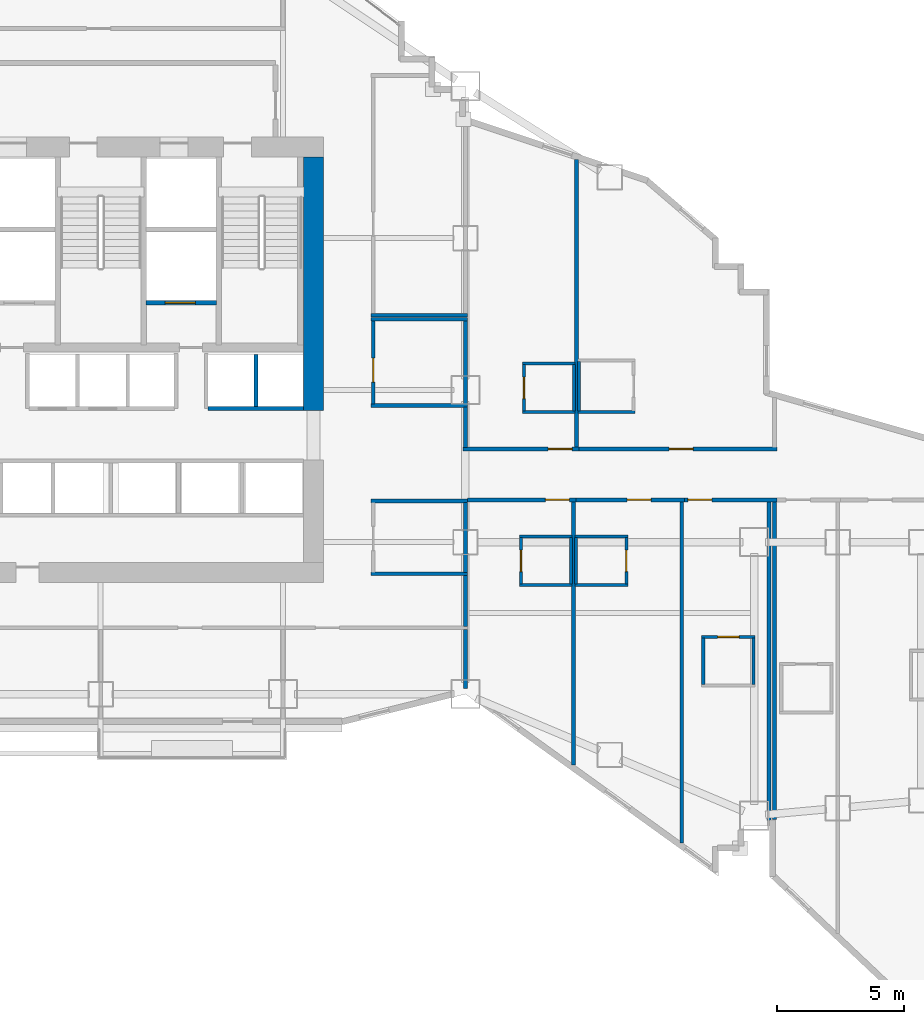
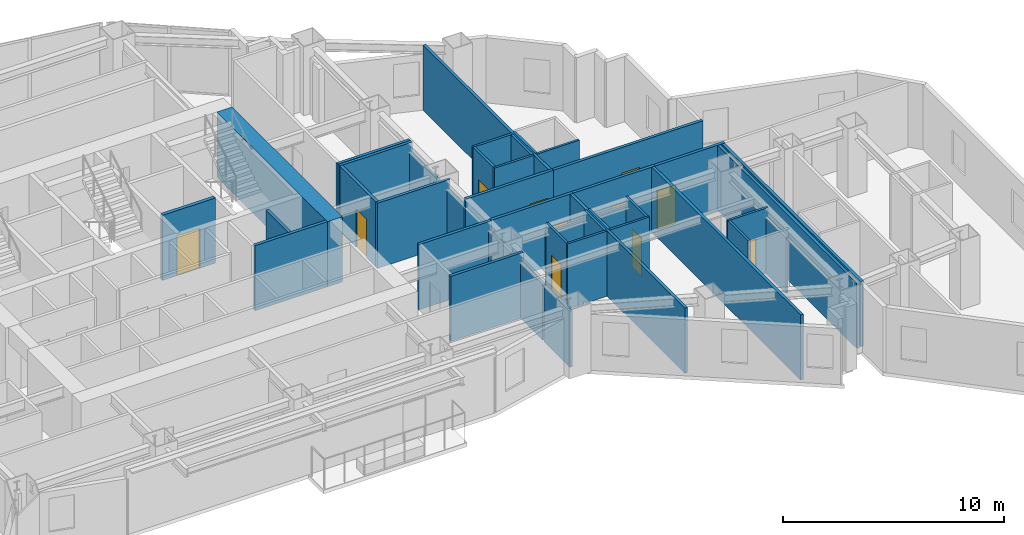
# One storey, part 9 of 17: 42 walls, 11 doors, 11 openings.
"""IFC4 building model written with IfcOpenShell, lengths in metres."""

from ifc_helpers import new_model, si_unit, direction, frame, frame_2d, origin, place, context, subcontext, project, spatial, rectangle, extrude, material, layer, layer_set, type_object, element, fill, save


model = new_model("IFC4")

# Units and contexts
model_context = context("Model", 3, precision=1e-05, world=origin(), true_north=direction((0.0, 1.0)))
body_context = subcontext(model_context, "Body", "Model", "MODEL_VIEW")
ifc_project = project(units=[si_unit("LENGTHUNIT", "METRE"), si_unit("AREAUNIT", "SQUARE_METRE"), si_unit("VOLUMEUNIT", "CUBIC_METRE"), si_unit("PLANEANGLEUNIT", "RADIAN"), si_unit("MASSUNIT", "GRAM", prefix="KILO")], contexts=[model_context])

# Site, building, storey
site_placement = place(None, origin())
site = spatial("IfcSite", under=ifc_project, at=site_placement, CompositionType="ELEMENT")
building_placement = place(site_placement, origin())
building = spatial("IfcBuilding", under=site, at=building_placement, Name="Haolan Belvedere Tower", CompositionType="ELEMENT")
storey_placement = place(building_placement, frame((0.0, 0.0, 59.0)))
storey = spatial("IfcBuildingStorey", under=building, at=storey_placement, Name="L14", CompositionType="ELEMENT", Elevation=59.0)

# Walls
ifc_material_1 = material(Name="Concrete C70/85", Category="concrete")
ifc_layer_1 = layer(ifc_material_1, 0.800048828125, Name="Concrete C70/85")
ifc_layer_set_1 = layer_set([ifc_layer_1], Name="Concrete C70/85")
wall_type_1 = type_object("IfcWallType", Name="WL-CORE-800", PredefinedType="SHEAR", material=ifc_layer_set_1)
wall_1_placement = place(storey_placement, frame((46.800048828125, 32.800048828125, 0.0), z_axis=(0.0, 0.0, 1.0), x_axis=(0.0, 1.0, 0.0)))
element("IfcWall", 1, at=wall_1_placement, inside=storey, type_object=wall_type_1, Name="L14 central core shear wall EN", PredefinedType="SHEAR", context=body_context, shape_type="SweptSolid", body=[
    extrude(rectangle(XDim=10.0, YDim=0.800048828125, at=frame_2d((5.0, 0.0))), origin(), (0.0, 0.0, 1.0), 3.60009765625),
])
ifc_material_2 = material(Name="Double gypsum acoustic stud partition", Category="masonry")
ifc_layer_2 = layer(ifc_material_2, 0.14990234375, Name="Double gypsum acoustic stud partition")
ifc_layer_set_2 = layer_set([ifc_layer_2], Name="Double gypsum acoustic stud partition")
wall_type_2 = type_object("IfcWallType", Name="WL-PART-150", PredefinedType="PARTITIONING", material=ifc_layer_set_2)
for number, where, z_axis, x_axis, name in (
    (2, (49.080078125, 36.39990234375, 0.0), (0.0, 0.0, 1.0), (1.0, 0.0, 0.0), "L14 interior partition IW-L14-AWC-N"),
    (3, (49.080078125, 33.0, 0.0), (0.0, 0.0, 1.0), (1.0, 0.0, 0.0), "L14 interior partition IW-L14-AWC-S"),
):
    element("IfcWall", number, at=place(storey_placement, frame(where, z_axis=z_axis, x_axis=x_axis)), inside=storey, type_object=wall_type_2, Name=name, PredefinedType="PARTITIONING", context=body_context, shape_type="SweptSolid", body=[
        extrude(rectangle(XDim=3.7998046875, YDim=0.14990234375, at=frame_2d((1.89990234375, 0.0))), origin(), (0.0, 0.0, 1.0), 3.60009765625),
    ])

# Wall, opening, door
wall_2_placement = place(storey_placement, frame((49.159912109375, 33.06005859375, 0.0), z_axis=(0.0, 0.0, 1.0), x_axis=(0.0, 1.0, 0.0)))
wall_2 = element("IfcWall", 4, at=wall_2_placement, inside=storey, type_object=wall_type_2, Name="L14 interior partition IW-L14-AWC-W", PredefinedType="PARTITIONING", context=body_context, shape_type="SweptSolid", body=[
    extrude(rectangle(XDim=3.280029296875, YDim=0.14990234375, at=frame_2d((1.64013671875, 0.0))), origin(), (0.0, 0.0, 1.0), 3.60009765625),
])
opening_1_placement = place(wall_2_placement, frame((0.860107421875, 0.0, 0.0)))
opening_1 = element("IfcOpeningElement", 5, at=opening_1_placement, cuts=wall_2, Name="Opening ID-03", PredefinedType="OPENING", context=body_context, shape_type="SweptSolid", body=[
    extrude(rectangle(XDim=0.949951171875, YDim=2.1201171875, at=frame_2d((0.47509765625, 1.06005859375))), frame((0.0, 0.0849609375, 0.0), z_axis=(0.0, -1.0, 0.0), x_axis=(1.0, 0.0, 0.0)), (0.0, 0.0, 1.0), 0.169921875),
])
ifc_material_3 = material(Name="Painted solid-core timber", Category="wood")
door_type_1 = type_object("IfcDoorType", Name="DR-INT-950", OperationType="NOTDEFINED", PredefinedType="DOOR", material=ifc_material_3)
door_1_placement = place(opening_1_placement, origin())
door_1 = element("IfcDoor", 6, at=door_1_placement, inside=storey, type_object=door_type_1, Name="L14 door ID-L14-AWC", OperationType="SINGLE_SWING_RIGHT", OverallHeight=2.1201171875, OverallWidth=0.949951171875, PredefinedType="DOOR", context=body_context, shape_type="SweptSolid", body=[
    extrude(rectangle(XDim=0.949951171875, YDim=2.1201171875, at=frame_2d((0.47509765625, 1.06005859375))), frame((0.0, 0.02490234375, 0.0), z_axis=(0.0, -1.0, 0.0), x_axis=(1.0, 0.0, 0.0)), (0.0, 0.0, 1.0), 0.050048828125),
])
fill(opening_1, door_1)

# Walls
wall_3_placement = place(storey_placement, frame((52.800048828125, 33.06005859375, 0.0), z_axis=(0.0, 0.0, 1.0), x_axis=(0.0, 1.0, 0.0)))
element("IfcWall", 7, at=wall_3_placement, inside=storey, type_object=wall_type_2, Name="L14 interior partition IW-L14-AWC-E", PredefinedType="PARTITIONING", context=body_context, shape_type="SweptSolid", body=[
    extrude(rectangle(XDim=3.280029296875, YDim=0.14990234375, at=frame_2d((1.64013671875, 0.0))), origin(), (0.0, 0.0, 1.0), 3.096923828125),
])
for number, where, z_axis, x_axis, name in (
    (8, (49.080078125, 36.56005859375, 0.0), (0.0, 0.0, 1.0), (1.0, 0.0, 0.0), "L14 interior partition IW-L14-SAL-S"),
    (9, (49.080078125, 29.22998046875, 0.0), (0.0, 0.0, 1.0), (1.0, 0.0, 0.0), "L14 interior partition IW-L14-PKTE-N"),
    (10, (49.080078125, 26.35009765625, 0.0), (0.0, 0.0, 1.0), (1.0, 0.0, 0.0), "L14 interior partition IW-L14-PKTE-S"),
):
    element("IfcWall", number, at=place(storey_placement, frame(where, z_axis=z_axis, x_axis=x_axis)), inside=storey, type_object=wall_type_2, Name=name, PredefinedType="PARTITIONING", context=body_context, shape_type="SweptSolid", body=[
        extrude(rectangle(XDim=3.7998046875, YDim=0.14990234375, at=frame_2d((1.89990234375, 0.0))), origin(), (0.0, 0.0, 1.0), 3.60009765625),
    ])
wall_4_placement = place(storey_placement, frame((52.800048828125, 26.409912109375, 0.0), z_axis=(0.0, 0.0, 1.0), x_axis=(0.0, 1.0, 0.0)))
element("IfcWall", 11, at=wall_4_placement, inside=storey, type_object=wall_type_2, Name="L14 interior partition IW-L14-PKTE-E", PredefinedType="PARTITIONING", context=body_context, shape_type="SweptSolid", body=[
    extrude(rectangle(XDim=2.760009765625, YDim=0.14990234375, at=frame_2d((1.3798828125, 0.0))), origin(), (0.0, 0.0, 1.0), 3.096923828125),
])
wall_5_placement = place(storey_placement, frame((52.800048828125, 21.818603515625, 0.0), z_axis=(0.0, 0.0, 1.0), x_axis=(0.0, 1.0, 0.0)))
element("IfcWall", 12, at=wall_5_placement, inside=storey, type_object=wall_type_2, Name="L14 interior partition IW-L14-KS3-E", PredefinedType="PARTITIONING", context=body_context, shape_type="SweptSolid", body=[
    extrude(rectangle(XDim=2.34130859375, YDim=0.14990234375, at=frame_2d((1.170654296875, 0.0))), origin(), (0.0, 0.0, 1.0), 3.096923828125),
])

# Wall, opening, door
wall_6_placement = place(storey_placement, frame((52.699951171875, 31.280029296875, 0.0), z_axis=(0.0, 0.0, 1.0), x_axis=(1.0, 0.0, 0.0)))
wall_6 = element("IfcWall", 13, at=wall_6_placement, inside=storey, type_object=wall_type_2, Name="L14 interior partition IW-L14-T4N1-S", PredefinedType="PARTITIONING", context=body_context, shape_type="SweptSolid", body=[
    extrude(rectangle(XDim=4.590087890625, YDim=0.14990234375, at=frame_2d((2.294921875, 0.0))), origin(), (0.0, 0.0, 1.0), 3.60009765625),
])
opening_2_placement = place(wall_6_placement, frame((3.361328125, 0.0, 0.0)))
opening_2 = element("IfcOpeningElement", 14, at=opening_2_placement, cuts=wall_6, Name="Opening ID-02", PredefinedType="OPENING", context=body_context, shape_type="SweptSolid", body=[
    extrude(rectangle(XDim=0.949951171875, YDim=2.14990234375, at=frame_2d((0.47509765625, 1.074951171875))), frame((0.0, 0.0849609375, 0.0), z_axis=(0.0, -1.0, 0.0), x_axis=(1.0, 0.0, 0.0)), (0.0, 0.0, 1.0), 0.169921875),
])
ifc_material_4 = material(Name="Acoustic oak veneer fire-rated timber", Category="wood")
door_type_2 = type_object("IfcDoorType", Name="DR-GUEST-950", OperationType="NOTDEFINED", PredefinedType="DOOR", material=ifc_material_4)
door_2_placement = place(opening_2_placement, origin())
door_2 = element("IfcDoor", 15, at=door_2_placement, inside=storey, type_object=door_type_2, Name="L14 door ID-L14-T4N1-ENT", OperationType="SINGLE_SWING_LEFT", OverallHeight=2.14990234375, OverallWidth=0.949951171875, PredefinedType="DOOR", context=body_context, shape_type="SweptSolid", body=[
    extrude(rectangle(XDim=0.949951171875, YDim=2.14990234375, at=frame_2d((0.47509765625, 1.074951171875))), frame((0.0, 0.02490234375, 0.0), z_axis=(0.0, -1.0, 0.0), x_axis=(1.0, 0.0, 0.0)), (0.0, 0.0, 1.0), 0.050048828125),
])
fill(opening_2, door_2)

# Walls
wall_7_placement = place(storey_placement, frame((52.800048828125, 31.340087890625, 0.0), z_axis=(0.0, 0.0, 1.0), x_axis=(0.0, 1.0, 0.0)))
element("IfcWall", 16, at=wall_7_placement, inside=storey, type_object=wall_type_2, Name="L14 interior partition IW-L14-T4N1-W", PredefinedType="PARTITIONING", context=body_context, shape_type="SweptSolid", body=[
    extrude(rectangle(XDim=1.599853515625, YDim=0.14990234375, at=frame_2d((0.7998046875, 0.0))), origin(), (0.0, 0.0, 1.0), 3.096923828125),
])
wall_8_placement = place(storey_placement, frame((57.18994140625, 31.340087890625, 0.0), z_axis=(0.0, 0.0, 1.0), x_axis=(0.0, 1.0, 0.0)))
element("IfcWall", 17, at=wall_8_placement, inside=storey, type_object=wall_type_2, Name="L14 interior partition IW-L14-T4N1-E", PredefinedType="PARTITIONING", context=body_context, shape_type="SweptSolid", body=[
    extrude(rectangle(XDim=11.359375, YDim=0.14990234375, at=frame_2d((5.6796875, 0.0))), origin(), (0.0, 0.0, 1.0), 3.60009765625),
])

# Wall, opening, door
wall_9_placement = place(storey_placement, frame((57.2919921875, 31.280029296875, 0.0), z_axis=(0.0, 0.0, 1.0), x_axis=(1.0, 0.0, 0.0)))
wall_9 = element("IfcWall", 18, at=wall_9_placement, inside=storey, type_object=wall_type_2, Name="L14 interior partition IW-L14-T4N2-S", PredefinedType="PARTITIONING", context=body_context, shape_type="SweptSolid", body=[
    extrude(rectangle(XDim=7.80810546875, YDim=0.14990234375, at=frame_2d((3.904052734375, 0.0))), origin(), (0.0, 0.0, 1.0), 3.60009765625),
])
opening_3_placement = place(wall_9_placement, frame((3.55126953125, 0.0, 0.0)))
opening_3 = element("IfcOpeningElement", 19, at=opening_3_placement, cuts=wall_9, Name="Opening ID-01", PredefinedType="OPENING", context=body_context, shape_type="SweptSolid", body=[
    extrude(rectangle(XDim=0.949951171875, YDim=2.179931640625, at=frame_2d((0.47509765625, 1.08984375))), frame((0.0, 0.0849609375, 0.0), z_axis=(0.0, -1.0, 0.0), x_axis=(1.0, 0.0, 0.0)), (0.0, 0.0, 1.0), 0.169921875),
])
ifc_material_5 = material(Name="Acoustic walnut veneer fire-rated timber", Category="wood")
door_type_3 = type_object("IfcDoorType", Name="DR-SUITE-950", OperationType="NOTDEFINED", PredefinedType="DOOR", material=ifc_material_5)
door_3_placement = place(opening_3_placement, origin())
door_3 = element("IfcDoor", 20, at=door_3_placement, inside=storey, type_object=door_type_3, Name="L14 door ID-L14-T4N2-ENT", OperationType="SINGLE_SWING_RIGHT", OverallHeight=2.179931640625, OverallWidth=0.949951171875, PredefinedType="DOOR", context=body_context, shape_type="SweptSolid", body=[
    extrude(rectangle(XDim=0.949951171875, YDim=2.179931640625, at=frame_2d((0.47509765625, 1.08984375))), frame((0.0, 0.02490234375, 0.0), z_axis=(0.0, -1.0, 0.0), x_axis=(1.0, 0.0, 0.0)), (0.0, 0.0, 1.0), 0.050048828125),
])
fill(opening_3, door_3)

wall_10_placement = place(storey_placement, frame((52.882080078125, 29.27001953125, 0.0), z_axis=(0.0, 0.0, 1.0), x_axis=(1.0, 0.0, 0.0)))
wall_10 = element("IfcWall", 21, at=wall_10_placement, inside=storey, type_object=wall_type_2, Name="L14 interior partition IW-L14-T4S1-N", PredefinedType="PARTITIONING", context=body_context, shape_type="SweptSolid", body=[
    extrude(rectangle(XDim=4.287841796875, YDim=0.14990234375, at=frame_2d((2.14404296875, 0.0))), origin(), (0.0, 0.0, 1.0), 3.60009765625),
])
opening_4_placement = place(wall_10_placement, frame((4.020263671875, 0.0, 0.0), z_axis=(0.0, 0.0, 1.0), x_axis=(-1.0, 0.0, 0.0)))
opening_4 = element("IfcOpeningElement", 22, at=opening_4_placement, cuts=wall_10, Name="Opening ID-02", PredefinedType="OPENING", context=body_context, shape_type="SweptSolid", body=[
    extrude(rectangle(XDim=0.949951171875, YDim=2.14990234375, at=frame_2d((0.47509765625, 1.074951171875))), frame((0.0, 0.0849609375, 0.0), z_axis=(0.0, -1.0, 0.0), x_axis=(1.0, 0.0, 0.0)), (0.0, 0.0, 1.0), 0.169921875),
])
door_4_placement = place(opening_4_placement, origin())
door_4 = element("IfcDoor", 23, at=door_4_placement, inside=storey, type_object=door_type_2, Name="L14 door ID-L14-T4S1-ENT", OperationType="SINGLE_SWING_LEFT", OverallHeight=2.14990234375, OverallWidth=0.949951171875, PredefinedType="DOOR", context=body_context, shape_type="SweptSolid", body=[
    extrude(rectangle(XDim=0.949951171875, YDim=2.14990234375, at=frame_2d((0.47509765625, 1.074951171875))), frame((0.0, 0.02490234375, 0.0), z_axis=(0.0, -1.0, 0.0), x_axis=(1.0, 0.0, 0.0)), (0.0, 0.0, 1.0), 0.050048828125),
])
fill(opening_4, door_4)

# Walls
wall_11_placement = place(storey_placement, frame((52.800048828125, 24.280029296875, 0.0), z_axis=(0.0, 0.0, 1.0), x_axis=(0.0, 1.0, 0.0)))
element("IfcWall", 24, at=wall_11_placement, inside=storey, type_object=wall_type_2, Name="L14 interior partition IW-L14-T4S1-W", PredefinedType="PARTITIONING", context=body_context, shape_type="SweptSolid", body=[
    extrude(rectangle(XDim=2.010009765625, YDim=0.14990234375, at=frame_2d((1.0048828125, 0.0))), origin(), (0.0, 0.0, 1.0), 3.096923828125),
])
wall_12_placement = place(storey_placement, frame((57.070068359375, 18.802978515625, 0.0), z_axis=(0.0, 0.0, 1.0), x_axis=(0.0, 1.0, 0.0)))
element("IfcWall", 25, at=wall_12_placement, inside=storey, type_object=wall_type_2, Name="L14 interior partition IW-L14-T4S1-E", PredefinedType="PARTITIONING", context=body_context, shape_type="SweptSolid", body=[
    extrude(rectangle(XDim=10.406982421875, YDim=0.14990234375, at=frame_2d((5.20361328125, 0.0))), origin(), (0.0, 0.0, 1.0), 3.60009765625),
])

# Wall, opening, door
wall_13_placement = place(storey_placement, frame((57.172119140625, 29.27001953125, 0.0), z_axis=(0.0, 0.0, 1.0), x_axis=(1.0, 0.0, 0.0)))
wall_13 = element("IfcWall", 26, at=wall_13_placement, inside=storey, type_object=wall_type_2, Name="L14 interior partition IW-L14-T4S2-N", PredefinedType="PARTITIONING", context=body_context, shape_type="SweptSolid", body=[
    extrude(rectangle(XDim=4.267822265625, YDim=0.14990234375, at=frame_2d((2.1337890625, 0.0))), origin(), (0.0, 0.0, 1.0), 3.60009765625),
])
opening_5_placement = place(wall_13_placement, frame((2.95947265625, 0.0, 0.0), z_axis=(0.0, 0.0, 1.0), x_axis=(-1.0, 0.0, 0.0)))
opening_5 = element("IfcOpeningElement", 27, at=opening_5_placement, cuts=wall_13, Name="Opening ID-02", PredefinedType="OPENING", context=body_context, shape_type="SweptSolid", body=[
    extrude(rectangle(XDim=0.949951171875, YDim=2.14990234375, at=frame_2d((0.47509765625, 1.074951171875))), frame((0.0, 0.0849609375, 0.0), z_axis=(0.0, -1.0, 0.0), x_axis=(1.0, 0.0, 0.0)), (0.0, 0.0, 1.0), 0.169921875),
])
door_5_placement = place(opening_5_placement, origin())
door_5 = element("IfcDoor", 28, at=door_5_placement, inside=storey, type_object=door_type_2, Name="L14 door ID-L14-T4S2-ENT", OperationType="SINGLE_SWING_RIGHT", OverallHeight=2.14990234375, OverallWidth=0.949951171875, PredefinedType="DOOR", context=body_context, shape_type="SweptSolid", body=[
    extrude(rectangle(XDim=0.949951171875, YDim=2.14990234375, at=frame_2d((0.47509765625, 1.074951171875))), frame((0.0, 0.02490234375, 0.0), z_axis=(0.0, -1.0, 0.0), x_axis=(1.0, 0.0, 0.0)), (0.0, 0.0, 1.0), 0.050048828125),
])
fill(opening_5, door_5)

# Wall
wall_14_placement = place(storey_placement, frame((61.340087890625, 15.728515625, 0.0), z_axis=(0.0, 0.0, 1.0), x_axis=(0.0, 1.0, 0.0)))
element("IfcWall", 29, at=wall_14_placement, inside=storey, type_object=wall_type_2, Name="L14 interior partition IW-L14-T4S2-E", PredefinedType="PARTITIONING", context=body_context, shape_type="SweptSolid", body=[
    extrude(rectangle(XDim=13.4814453125, YDim=0.14990234375, at=frame_2d((6.74072265625, 0.0))), origin(), (0.0, 0.0, 1.0), 3.60009765625),
])

# Wall, opening, door
wall_15_placement = place(storey_placement, frame((61.44189453125, 29.27001953125, 0.0), z_axis=(0.0, 0.0, 1.0), x_axis=(1.0, 0.0, 0.0)))
wall_15 = element("IfcWall", 30, at=wall_15_placement, inside=storey, type_object=wall_type_2, Name="L14 interior partition IW-L14-T4S3-N", PredefinedType="PARTITIONING", context=body_context, shape_type="SweptSolid", body=[
    extrude(rectangle(XDim=3.658203125, YDim=0.14990234375, at=frame_2d((1.8291015625, 0.0))), origin(), (0.0, 0.0, 1.0), 3.60009765625),
])
opening_6_placement = place(wall_15_placement, frame((1.08984375, 0.0, 0.0), z_axis=(0.0, 0.0, 1.0), x_axis=(-1.0, 0.0, 0.0)))
opening_6 = element("IfcOpeningElement", 31, at=opening_6_placement, cuts=wall_15, Name="Opening ID-02", PredefinedType="OPENING", context=body_context, shape_type="SweptSolid", body=[
    extrude(rectangle(XDim=0.949951171875, YDim=2.14990234375, at=frame_2d((0.47509765625, 1.074951171875))), frame((0.0, 0.0849609375, 0.0), z_axis=(0.0, -1.0, 0.0), x_axis=(1.0, 0.0, 0.0)), (0.0, 0.0, 1.0), 0.169921875),
])
door_6_placement = place(opening_6_placement, origin())
door_6 = element("IfcDoor", 32, at=door_6_placement, inside=storey, type_object=door_type_2, Name="L14 door ID-L14-T4S3-ENT", OperationType="SINGLE_SWING_LEFT", OverallHeight=2.14990234375, OverallWidth=0.949951171875, PredefinedType="DOOR", context=body_context, shape_type="SweptSolid", body=[
    extrude(rectangle(XDim=0.949951171875, YDim=2.14990234375, at=frame_2d((0.47509765625, 1.074951171875))), frame((0.0, 0.02490234375, 0.0), z_axis=(0.0, -1.0, 0.0), x_axis=(1.0, 0.0, 0.0)), (0.0, 0.0, 1.0), 0.050048828125),
])
fill(opening_6, door_6)

# Walls
wall_16_placement = place(storey_placement, frame((65.0, 16.64208984375, 0.0), z_axis=(0.0, 0.0, 1.0), x_axis=(0.0, 1.0, 0.0)))
element("IfcWall", 33, at=wall_16_placement, inside=storey, type_object=wall_type_2, Name="L14 interior partition IW-L14-T4S3-E", PredefinedType="PARTITIONING", context=body_context, shape_type="SweptSolid", body=[
    extrude(rectangle(XDim=12.56787109375, YDim=0.14990234375, at=frame_2d((6.283935546875, 0.0))), origin(), (0.0, 0.0, 1.0), 3.60009765625),
])
wall_17_placement = place(storey_placement, frame((64.780029296875, 16.612060546875, 0.0), z_axis=(0.0, 0.0, 1.0), x_axis=(0.0, 1.0, 0.0)))
element("IfcWall", 34, at=wall_17_placement, inside=storey, type_object=wall_type_2, Name="L14 interior partition IW-L14-T5S1-W", PredefinedType="PARTITIONING", context=body_context, shape_type="SweptSolid", body=[
    extrude(rectangle(XDim=12.597900390625, YDim=0.14990234375, at=frame_2d((6.298828125, 0.0))), origin(), (0.0, 0.0, 1.0), 3.60009765625),
])
ifc_material_6 = material(Name="Gypsum fire shaftwall assembly", Category="masonry")
ifc_layer_3 = layer(ifc_material_6, 0.1650390625, Name="Gypsum fire shaftwall assembly")
ifc_layer_set_3 = layer_set([ifc_layer_3], Name="Gypsum fire shaftwall assembly")
wall_type_3 = type_object("IfcWallType", Name="WL-SHAFT-160", PredefinedType="SOLIDWALL", material=ifc_layer_set_3)
wall_18_placement = place(storey_placement, frame((42.6298828125, 32.8798828125, 0.0), z_axis=(0.0, 0.0, 1.0), x_axis=(1.0, 0.0, 0.0)))
element("IfcWall", 35, at=wall_18_placement, inside=storey, type_object=wall_type_3, Name="L14 interior partition IW-L14-ROW-PN3", PredefinedType="SOLIDWALL", context=body_context, shape_type="SweptSolid", body=[
    extrude(rectangle(XDim=3.77001953125, YDim=0.159912109375, at=frame_2d((1.885009765625, 0.0))), origin(), (0.0, 0.0, 1.0), 3.60009765625),
])
wall_19_placement = place(storey_placement, frame((44.530029296875, 32.949951171875, 0.0), z_axis=(0.0, 0.0, 1.0), x_axis=(0.0, 1.0, 0.0)))
element("IfcWall", 36, at=wall_19_placement, inside=storey, type_object=wall_type_3, Name="L14 interior partition IW-L14-DIV-PH2", PredefinedType="SOLIDWALL", context=body_context, shape_type="SweptSolid", body=[
    extrude(rectangle(XDim=2.050048828125, YDim=0.14990234375, at=frame_2d((1.02490234375, 0.0))), origin(), (0.0, 0.0, 1.0), 3.60009765625),
])

# Wall, opening, door
ifc_material_7 = material(Name="Precast concrete C40/50", Category="concrete")
ifc_layer_4 = layer(ifc_material_7, 0.179931640625, Name="Precast concrete C40/50")
ifc_layer_set_4 = layer_set([ifc_layer_4], Name="Precast concrete C40/50")
wall_type_4 = type_object("IfcWallType", Name="WL-SHAFT-180", PredefinedType="SOLIDWALL", material=ifc_layer_set_4)
wall_20_placement = place(storey_placement, frame((40.195068359375, 37.050048828125, 0.0), z_axis=(0.0, 0.0, 1.0), x_axis=(1.0, 0.0, 0.0)))
wall_20 = element("IfcWall", 37, at=wall_20_placement, inside=storey, type_object=wall_type_4, Name="L14 interior partition IW-L14-SV2-S", PredefinedType="SOLIDWALL", context=body_context, shape_type="SweptSolid", body=[
    extrude(rectangle(XDim=2.77001953125, YDim=0.179931640625, at=frame_2d((1.385009765625, 0.0))), origin(), (0.0, 0.0, 1.0), 3.60009765625),
])
opening_7_placement = place(wall_20_placement, frame((1.945068359375, 0.0, 0.0), z_axis=(0.0, 0.0, 1.0), x_axis=(-1.0, 0.0, 0.0)))
opening_7 = element("IfcOpeningElement", 38, at=opening_7_placement, cuts=wall_20, Name="Opening LD-02", PredefinedType="OPENING", context=body_context, shape_type="SweptSolid", body=[
    extrude(rectangle(XDim=1.199951171875, YDim=2.199951171875, at=frame_2d((0.60009765625, 1.10009765625))), frame((0.0, 0.099853515625, 0.0), z_axis=(0.0, -1.0, 0.0), x_axis=(1.0, 0.0, 0.0)), (0.0, 0.0, 1.0), 0.199951171875),
])
ifc_material_8 = material(Name="Brushed champagne stainless steel 316L", Category="steel")
door_type_4 = type_object("IfcDoorType", Name="DR-LIFT-1200", OperationType="SLIDING_TO_RIGHT", PredefinedType="DOOR", material=ifc_material_8)
door_7_placement = place(opening_7_placement, origin())
door_7 = element("IfcDoor", 39, at=door_7_placement, inside=storey, type_object=door_type_4, Name="L14 door ID-L14-LD-SV2", OperationType="SLIDING_TO_RIGHT", OverallHeight=2.199951171875, OverallWidth=1.199951171875, PredefinedType="DOOR", context=body_context, shape_type="SweptSolid", body=[
    extrude(rectangle(XDim=1.199951171875, YDim=2.199951171875, at=frame_2d((0.60009765625, 1.10009765625))), frame((0.0, 0.02490234375, 0.0), z_axis=(0.0, -1.0, 0.0), x_axis=(1.0, 0.0, 0.0)), (0.0, 0.0, 1.0), 0.050048828125),
])
fill(opening_7, door_7)

# Walls
ifc_material_9 = material(Name="Moisture-resistant gypsum tile partition", Category="masonry")
ifc_layer_5 = layer(ifc_material_9, 0.1201171875, Name="Moisture-resistant gypsum tile partition")
ifc_layer_set_5 = layer_set([ifc_layer_5], Name="Moisture-resistant gypsum tile partition")
wall_type_5 = type_object("IfcWallType", Name="WL-WET-120", PredefinedType="PARTITIONING", material=ifc_layer_set_5)
for number, where, z_axis, x_axis, name in (
    (40, (55.050048828125, 34.64990234375, 0.0), (0.0, 0.0, 1.0), (1.0, 0.0, 0.0), "L14 interior partition IW-L14-T4N1-BN"),
    (41, (55.050048828125, 32.72998046875, 0.0), (0.0, 0.0, 1.0), (1.0, 0.0, 0.0), "L14 interior partition IW-L14-T4N1-BS"),
):
    element("IfcWall", number, at=place(storey_placement, frame(where, z_axis=z_axis, x_axis=x_axis)), inside=storey, type_object=wall_type_5, Name=name, PredefinedType="PARTITIONING", context=body_context, shape_type="SweptSolid", body=[
        extrude(rectangle(XDim=2.079833984375, YDim=0.1201171875, at=frame_2d((1.0400390625, 0.0))), origin(), (0.0, 0.0, 1.0), 3.60009765625),
    ])

# Wall, opening, door
wall_21_placement = place(storey_placement, frame((55.110107421875, 32.77490234375, 0.0), z_axis=(0.0, 0.0, 1.0), x_axis=(0.0, 1.0, 0.0)))
wall_21 = element("IfcWall", 42, at=wall_21_placement, inside=storey, type_object=wall_type_5, Name="L14 interior partition IW-L14-T4N1-BW", PredefinedType="PARTITIONING", context=body_context, shape_type="SweptSolid", body=[
    extrude(rectangle(XDim=1.830078125, YDim=0.1201171875, at=frame_2d((0.9150390625, 0.0))), origin(), (0.0, 0.0, 1.0), 3.60009765625),
])
opening_8_placement = place(wall_21_placement, frame((1.340087890625, 0.0, 0.0), z_axis=(0.0, 0.0, 1.0), x_axis=(-1.0, 0.0, 0.0)))
opening_8 = element("IfcOpeningElement", 43, at=opening_8_placement, cuts=wall_21, Name="Opening ID-05", PredefinedType="OPENING", context=body_context, shape_type="SweptSolid", body=[
    extrude(rectangle(XDim=0.85009765625, YDim=2.10009765625, at=frame_2d((0.425048828125, 1.050048828125))), frame((0.0, 0.070068359375, 0.0), z_axis=(0.0, -1.0, 0.0), x_axis=(1.0, 0.0, 0.0)), (0.0, 0.0, 1.0), 0.14013671875),
])
ifc_material_10 = material(Name="Moisture-resistant lacquered timber", Category="wood")
door_type_5 = type_object("IfcDoorType", Name="DR-BATH-850", OperationType="NOTDEFINED", PredefinedType="DOOR", material=ifc_material_10)
door_8_placement = place(opening_8_placement, origin())
door_8 = element("IfcDoor", 44, at=door_8_placement, inside=storey, type_object=door_type_5, Name="L14 door ID-L14-T4N1-BATH", OperationType="SINGLE_SWING_RIGHT", OverallHeight=2.10009765625, OverallWidth=0.85009765625, PredefinedType="DOOR", context=body_context, shape_type="SweptSolid", body=[
    extrude(rectangle(XDim=0.85009765625, YDim=2.10009765625, at=frame_2d((0.425048828125, 1.050048828125))), frame((0.0, 0.02490234375, 0.0), z_axis=(0.0, -1.0, 0.0), x_axis=(1.0, 0.0, 0.0)), (0.0, 0.0, 1.0), 0.050048828125),
])
fill(opening_8, door_8)

# Walls
wall_22_placement = place(storey_placement, frame((57.090087890625, 32.77490234375, 0.0), z_axis=(0.0, 0.0, 1.0), x_axis=(0.0, 1.0, 0.0)))
element("IfcWall", 45, at=wall_22_placement, inside=storey, type_object=wall_type_5, Name="L14 interior partition IW-L14-T4N1-BE", PredefinedType="PARTITIONING", context=body_context, shape_type="SweptSolid", body=[
    extrude(rectangle(XDim=1.830078125, YDim=0.1201171875, at=frame_2d((0.9150390625, 0.0))), origin(), (0.0, 0.0, 1.0), 3.60009765625),
])
wall_23_placement = place(storey_placement, frame((57.25, 32.72998046875, 0.0), z_axis=(0.0, 0.0, 1.0), x_axis=(1.0, 0.0, 0.0)))
element("IfcWall", 46, at=wall_23_placement, inside=storey, type_object=wall_type_5, Name="L14 interior partition IW-L14-T4N2-BS", PredefinedType="PARTITIONING", context=body_context, shape_type="SweptSolid", body=[
    extrude(rectangle(XDim=2.25, YDim=0.1201171875, at=frame_2d((1.125, 0.0))), origin(), (0.0, 0.0, 1.0), 3.60009765625),
])
wall_24_placement = place(storey_placement, frame((57.2900390625, 32.77490234375, 0.0), z_axis=(0.0, 0.0, 1.0), x_axis=(0.0, 1.0, 0.0)))
element("IfcWall", 47, at=wall_24_placement, inside=storey, type_object=wall_type_5, Name="L14 interior partition IW-L14-T4N2-BW", PredefinedType="PARTITIONING", context=body_context, shape_type="SweptSolid", body=[
    extrude(rectangle(XDim=1.960205078125, YDim=0.1201171875, at=frame_2d((0.97998046875, 0.0))), origin(), (0.0, 0.0, 1.0), 3.60009765625),
])
wall_25_placement = place(storey_placement, frame((54.929931640625, 27.820068359375, 0.0), z_axis=(0.0, 0.0, 1.0), x_axis=(1.0, 0.0, 0.0)))
element("IfcWall", 48, at=wall_25_placement, inside=storey, type_object=wall_type_5, Name="L14 interior partition IW-L14-T4S1-BN", PredefinedType="PARTITIONING", context=body_context, shape_type="SweptSolid", body=[
    extrude(rectangle(XDim=2.080078125, YDim=0.1201171875, at=frame_2d((1.0400390625, 0.0))), origin(), (0.0, 0.0, 1.0), 3.096923828125),
])
wall_26_placement = place(storey_placement, frame((54.929931640625, 25.89990234375, 0.0), z_axis=(0.0, 0.0, 1.0), x_axis=(1.0, 0.0, 0.0)))
element("IfcWall", 49, at=wall_26_placement, inside=storey, type_object=wall_type_5, Name="L14 interior partition IW-L14-T4S1-BS", PredefinedType="PARTITIONING", context=body_context, shape_type="SweptSolid", body=[
    extrude(rectangle(XDim=2.080078125, YDim=0.1201171875, at=frame_2d((1.0400390625, 0.0))), origin(), (0.0, 0.0, 1.0), 3.60009765625),
])

# Wall, opening, door
wall_27_placement = place(storey_placement, frame((54.989990234375, 25.945068359375, 0.0), z_axis=(0.0, 0.0, 1.0), x_axis=(0.0, 1.0, 0.0)))
wall_27 = element("IfcWall", 50, at=wall_27_placement, inside=storey, type_object=wall_type_5, Name="L14 interior partition IW-L14-T4S1-BW", PredefinedType="PARTITIONING", context=body_context, shape_type="SweptSolid", body=[
    extrude(rectangle(XDim=1.829833984375, YDim=0.1201171875, at=frame_2d((0.9150390625, 0.0))), origin(), (0.0, 0.0, 1.0), 3.60009765625),
])
opening_9_placement = place(wall_27_placement, frame((1.340087890625, 0.0, 0.0), z_axis=(0.0, 0.0, 1.0), x_axis=(-1.0, 0.0, 0.0)))
opening_9 = element("IfcOpeningElement", 51, at=opening_9_placement, cuts=wall_27, Name="Opening ID-05", PredefinedType="OPENING", context=body_context, shape_type="SweptSolid", body=[
    extrude(rectangle(XDim=0.85009765625, YDim=2.10009765625, at=frame_2d((0.425048828125, 1.050048828125))), frame((0.0, 0.070068359375, 0.0), z_axis=(0.0, -1.0, 0.0), x_axis=(1.0, 0.0, 0.0)), (0.0, 0.0, 1.0), 0.14013671875),
])
door_9_placement = place(opening_9_placement, origin())
door_9 = element("IfcDoor", 52, at=door_9_placement, inside=storey, type_object=door_type_5, Name="L14 door ID-L14-T4S1-BATH", OperationType="SINGLE_SWING_RIGHT", OverallHeight=2.10009765625, OverallWidth=0.85009765625, PredefinedType="DOOR", context=body_context, shape_type="SweptSolid", body=[
    extrude(rectangle(XDim=0.85009765625, YDim=2.10009765625, at=frame_2d((0.425048828125, 1.050048828125))), frame((0.0, 0.02490234375, 0.0), z_axis=(0.0, -1.0, 0.0), x_axis=(1.0, 0.0, 0.0)), (0.0, 0.0, 1.0), 0.050048828125),
])
fill(opening_9, door_9)

# Walls
wall_28_placement = place(storey_placement, frame((56.969970703125, 25.945068359375, 0.0), z_axis=(0.0, 0.0, 1.0), x_axis=(0.0, 1.0, 0.0)))
element("IfcWall", 53, at=wall_28_placement, inside=storey, type_object=wall_type_5, Name="L14 interior partition IW-L14-T4S1-BE", PredefinedType="PARTITIONING", context=body_context, shape_type="SweptSolid", body=[
    extrude(rectangle(XDim=1.829833984375, YDim=0.1201171875, at=frame_2d((0.9150390625, 0.0))), origin(), (0.0, 0.0, 1.0), 3.60009765625),
])
wall_29_placement = place(storey_placement, frame((57.1298828125, 27.820068359375, 0.0), z_axis=(0.0, 0.0, 1.0), x_axis=(1.0, 0.0, 0.0)))
element("IfcWall", 54, at=wall_29_placement, inside=storey, type_object=wall_type_5, Name="L14 interior partition IW-L14-T4S2-BN", PredefinedType="PARTITIONING", context=body_context, shape_type="SweptSolid", body=[
    extrude(rectangle(XDim=2.080078125, YDim=0.1201171875, at=frame_2d((1.0400390625, 0.0))), origin(), (0.0, 0.0, 1.0), 3.096923828125),
])
wall_30_placement = place(storey_placement, frame((57.1298828125, 25.89990234375, 0.0), z_axis=(0.0, 0.0, 1.0), x_axis=(1.0, 0.0, 0.0)))
element("IfcWall", 55, at=wall_30_placement, inside=storey, type_object=wall_type_5, Name="L14 interior partition IW-L14-T4S2-BS", PredefinedType="PARTITIONING", context=body_context, shape_type="SweptSolid", body=[
    extrude(rectangle(XDim=2.080078125, YDim=0.1201171875, at=frame_2d((1.0400390625, 0.0))), origin(), (0.0, 0.0, 1.0), 3.60009765625),
])
wall_31_placement = place(storey_placement, frame((57.169921875, 25.945068359375, 0.0), z_axis=(0.0, 0.0, 1.0), x_axis=(0.0, 1.0, 0.0)))
element("IfcWall", 56, at=wall_31_placement, inside=storey, type_object=wall_type_5, Name="L14 interior partition IW-L14-T4S2-BW", PredefinedType="PARTITIONING", context=body_context, shape_type="SweptSolid", body=[
    extrude(rectangle(XDim=1.829833984375, YDim=0.1201171875, at=frame_2d((0.9150390625, 0.0))), origin(), (0.0, 0.0, 1.0), 3.60009765625),
])

# Wall, opening, door
wall_32_placement = place(storey_placement, frame((59.14990234375, 25.945068359375, 0.0), z_axis=(0.0, 0.0, 1.0), x_axis=(0.0, 1.0, 0.0)))
wall_32 = element("IfcWall", 57, at=wall_32_placement, inside=storey, type_object=wall_type_5, Name="L14 interior partition IW-L14-T4S2-BE", PredefinedType="PARTITIONING", context=body_context, shape_type="SweptSolid", body=[
    extrude(rectangle(XDim=1.829833984375, YDim=0.1201171875, at=frame_2d((0.9150390625, 0.0))), origin(), (0.0, 0.0, 1.0), 3.60009765625),
])
opening_10_placement = place(wall_32_placement, frame((0.489990234375, 0.0, 0.0)))
opening_10 = element("IfcOpeningElement", 58, at=opening_10_placement, cuts=wall_32, Name="Opening ID-05", PredefinedType="OPENING", context=body_context, shape_type="SweptSolid", body=[
    extrude(rectangle(XDim=0.85009765625, YDim=2.10009765625, at=frame_2d((0.425048828125, 1.050048828125))), frame((0.0, 0.070068359375, 0.0), z_axis=(0.0, -1.0, 0.0), x_axis=(1.0, 0.0, 0.0)), (0.0, 0.0, 1.0), 0.14013671875),
])
door_10_placement = place(opening_10_placement, origin())
door_10 = element("IfcDoor", 59, at=door_10_placement, inside=storey, type_object=door_type_5, Name="L14 door ID-L14-T4S2-BATH", OperationType="SINGLE_SWING_LEFT", OverallHeight=2.10009765625, OverallWidth=0.85009765625, PredefinedType="DOOR", context=body_context, shape_type="SweptSolid", body=[
    extrude(rectangle(XDim=0.85009765625, YDim=2.10009765625, at=frame_2d((0.425048828125, 1.050048828125))), frame((0.0, 0.02490234375, 0.0), z_axis=(0.0, -1.0, 0.0), x_axis=(1.0, 0.0, 0.0)), (0.0, 0.0, 1.0), 0.050048828125),
])
fill(opening_10, door_10)

wall_33_placement = place(storey_placement, frame((62.1279296875, 23.860107421875, 0.0), z_axis=(0.0, 0.0, 1.0), x_axis=(1.0, 0.0, 0.0)))
wall_33 = element("IfcWall", 60, at=wall_33_placement, inside=storey, type_object=wall_type_5, Name="L14 interior partition IW-L14-T4S3-BN", PredefinedType="PARTITIONING", context=body_context, shape_type="SweptSolid", body=[
    extrude(rectangle(XDim=2.10009765625, YDim=0.1201171875, at=frame_2d((1.050048828125, 0.0))), origin(), (0.0, 0.0, 1.0), 3.60009765625),
])
opening_11_placement = place(wall_33_placement, frame((1.47509765625, 0.0, 0.0), z_axis=(0.0, 0.0, 1.0), x_axis=(-1.0, 0.0, 0.0)))
opening_11 = element("IfcOpeningElement", 61, at=opening_11_placement, cuts=wall_33, Name="Opening ID-05", PredefinedType="OPENING", context=body_context, shape_type="SweptSolid", body=[
    extrude(rectangle(XDim=0.85009765625, YDim=2.10009765625, at=frame_2d((0.425048828125, 1.050048828125))), frame((0.0, 0.070068359375, 0.0), z_axis=(0.0, -1.0, 0.0), x_axis=(1.0, 0.0, 0.0)), (0.0, 0.0, 1.0), 0.14013671875),
])
door_11_placement = place(opening_11_placement, origin())
door_11 = element("IfcDoor", 62, at=door_11_placement, inside=storey, type_object=door_type_5, Name="L14 door ID-L14-T4S3-BATH", OperationType="SINGLE_SWING_RIGHT", OverallHeight=2.10009765625, OverallWidth=0.85009765625, PredefinedType="DOOR", context=body_context, shape_type="SweptSolid", body=[
    extrude(rectangle(XDim=0.85009765625, YDim=2.10009765625, at=frame_2d((0.425048828125, 1.050048828125))), frame((0.0, 0.02490234375, 0.0), z_axis=(0.0, -1.0, 0.0), x_axis=(1.0, 0.0, 0.0)), (0.0, 0.0, 1.0), 0.050048828125),
])
fill(opening_11, door_11)

# Walls
wall_34_placement = place(storey_placement, frame((62.18798828125, 21.985107421875, 0.0), z_axis=(0.0, 0.0, 1.0), x_axis=(0.0, 1.0, 0.0)))
element("IfcWall", 63, at=wall_34_placement, inside=storey, type_object=wall_type_5, Name="L14 interior partition IW-L14-T4S3-BW", PredefinedType="PARTITIONING", context=body_context, shape_type="SweptSolid", body=[
    extrude(rectangle(XDim=1.829833984375, YDim=0.1201171875, at=frame_2d((0.9150390625, 0.0))), origin(), (0.0, 0.0, 1.0), 3.60009765625),
])
wall_35_placement = place(storey_placement, frame((64.16796875, 21.985107421875, 0.0), z_axis=(0.0, 0.0, 1.0), x_axis=(0.0, 1.0, 0.0)))
element("IfcWall", 64, at=wall_35_placement, inside=storey, type_object=wall_type_5, Name="L14 interior partition IW-L14-T4S3-BE", PredefinedType="PARTITIONING", context=body_context, shape_type="SweptSolid", body=[
    extrude(rectangle(XDim=1.829833984375, YDim=0.1201171875, at=frame_2d((0.9150390625, 0.0))), origin(), (0.0, 0.0, 1.0), 3.096923828125),
])

save(model, "model.ifc")
